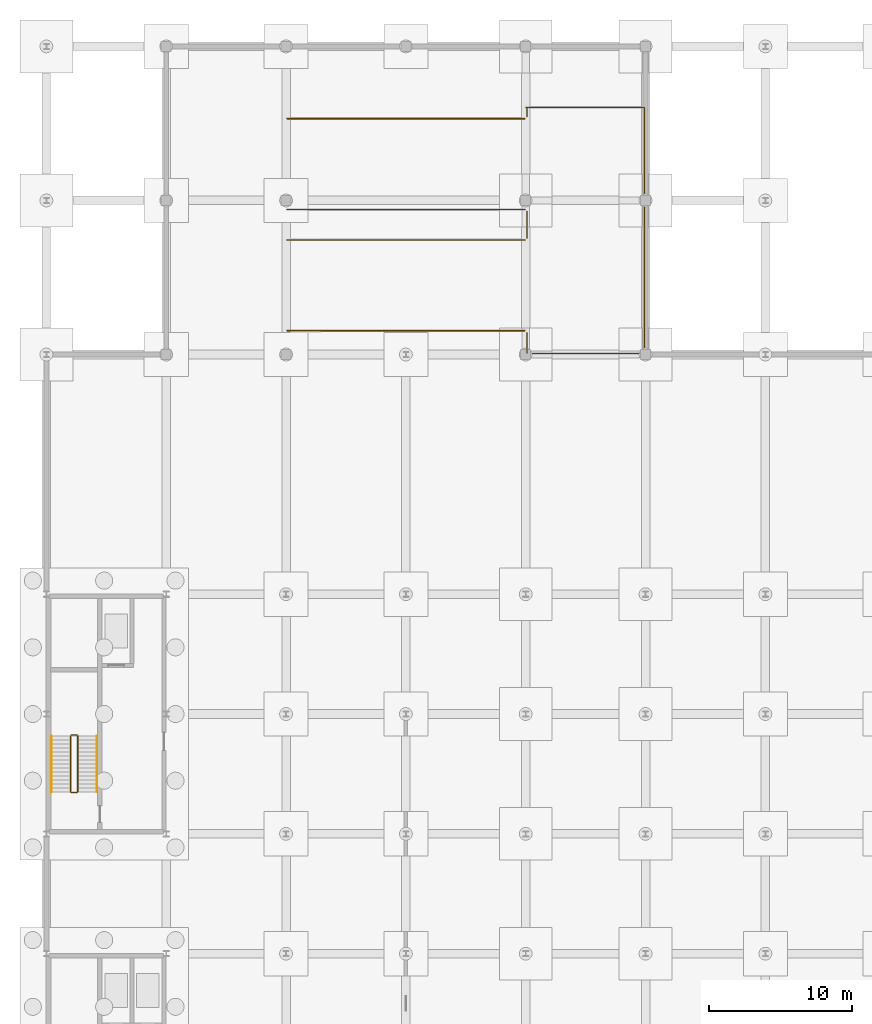
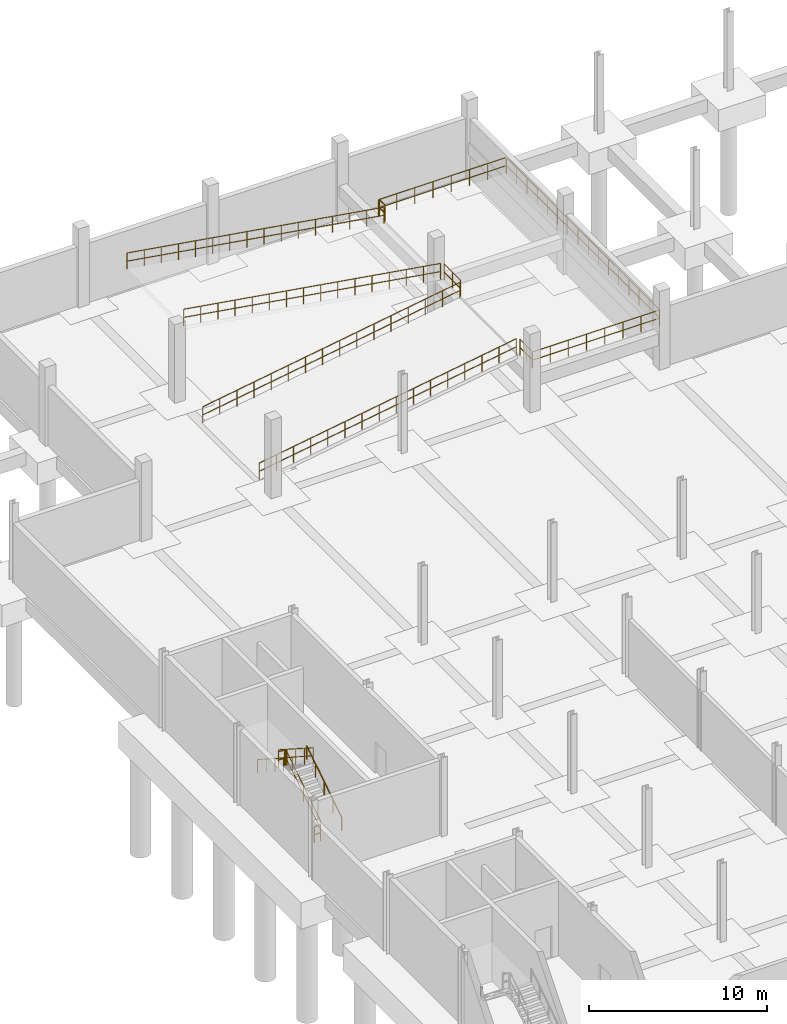
# One storey, part 33 of 36: 16 railings.
"""IFC4 building model written with IfcOpenShell, lengths in metres."""

from ifc_helpers import new_model, si_unit, direction, frame, origin, origin_2d, place, context, subcontext, project, spatial, circle, extrude, material, type_object, element, save


model = new_model("IFC4")

# Units and contexts
model_context = context("Model", 3, precision=1e-05, world=origin(), true_north=direction((0.0, 1.0)))
body_context = subcontext(model_context, "Body", "Model", "MODEL_VIEW")
ifc_project = project(units=[si_unit("LENGTHUNIT", "METRE"), si_unit("AREAUNIT", "SQUARE_METRE"), si_unit("VOLUMEUNIT", "CUBIC_METRE"), si_unit("PLANEANGLEUNIT", "RADIAN"), si_unit("MASSUNIT", "GRAM", prefix="KILO"), si_unit("THERMODYNAMICTEMPERATUREUNIT", "KELVIN"), si_unit("POWERUNIT", "WATT")], contexts=[model_context])

# Site, building, storey
site_placement = place(None, origin())
site = spatial("IfcSite", under=ifc_project, at=site_placement, CompositionType="ELEMENT")
building_placement = place(site_placement, origin())
building = spatial("IfcBuilding", under=site, at=building_placement, Name="Tembeka Court Mobility Hub", CompositionType="ELEMENT")
storey_placement = place(building_placement, frame((0.0, 0.0, -5.39990234375)))
storey = spatial("IfcBuildingStorey", under=building, at=storey_placement, Name="B1", CompositionType="ELEMENT", Elevation=-5.39990234375)

# Railings
ifc_material_1 = material(Name="Painted galvanised steel balustrade", Category="steel")
railing_type_1 = type_object("IfcRailingType", Name="RL-GR01", PredefinedType="GUARDRAIL", material=ifc_material_1)
railing_1_placement = place(storey_placement, frame((2.199951171875, 66.550048828125, 0.179931640625)))
element("IfcRailing", 1, at=railing_1_placement, inside=storey, type_object=railing_type_1, Name="B1 ST03 stair guard 1-1", PredefinedType="GUARDRAIL", context=body_context, shape_type="SweptSolid", body=[
    extrude(circle(Radius=0.02392578125, at=origin_2d()), frame((0.0, 0.0, 1.09619140625), z_axis=(0.0, 0.841171666519, 0.540768182723), x_axis=(-1.0, 0.0, 0.0)), (0.0, 0.0, 1.0), 4.66015625),
    extrude(circle(Radius=0.02392578125, at=origin_2d()), frame((0.0, 0.0, 0.5361328125), z_axis=(0.0, 0.841171666519, 0.540768182723), x_axis=(-1.0, 0.0, 0.0)), (0.0, 0.0, 1.0), 4.66015625),
    extrude(circle(Radius=0.02099609375, at=origin_2d()), origin(), (0.0, 0.0, 1.0), 1.072021484375),
    extrude(circle(Radius=0.02099609375, at=origin_2d()), frame((0.0, 0.97998046875, 0.6298828125)), (0.0, 0.0, 1.0), 1.072021484375),
    extrude(circle(Radius=0.02099609375, at=origin_2d()), frame((0.0, 1.9599609375, 1.260009765625)), (0.0, 0.0, 1.0), 1.072021484375),
    extrude(circle(Radius=0.02099609375, at=origin_2d()), frame((0.0, 2.93994140625, 1.89013671875)), (0.0, 0.0, 1.0), 1.072021484375),
    extrude(circle(Radius=0.02099609375, at=origin_2d()), frame((0.0, 3.919921875, 2.52001953125)), (0.0, 0.0, 1.0), 1.072021484375),
])
railing_2_placement = place(storey_placement, frame((2.14990234375, 70.52001953125, 2.699951171875)))
element("IfcRailing", 2, at=railing_2_placement, inside=storey, type_object=railing_type_1, Name="B1 ST03 stair guard 2-1", PredefinedType="GUARDRAIL", context=body_context, shape_type="SweptSolid", body=[
    extrude(circle(Radius=0.02392578125, at=origin_2d()), frame((0.0, 0.0, 1.09619140625), z_axis=(-1.0, 0.0, 0.0), x_axis=(0.0, -1.0, 0.0)), (0.0, 0.0, 1.0), 0.39990234375),
    extrude(circle(Radius=0.02392578125, at=origin_2d()), frame((0.0, 0.0, 0.5361328125), z_axis=(-1.0, 0.0, 0.0), x_axis=(0.0, -1.0, 0.0)), (0.0, 0.0, 1.0), 0.39990234375),
    extrude(circle(Radius=0.02099609375, at=origin_2d()), origin(), (0.0, 0.0, 1.0), 1.072021484375),
    extrude(circle(Radius=0.02099609375, at=origin_2d()), frame((-0.39990234375, 0.0, 0.0)), (0.0, 0.0, 1.0), 1.072021484375),
])
railing_3_placement = place(storey_placement, frame((1.699951171875, 70.469970703125, 2.8798828125)))
element("IfcRailing", 3, at=railing_3_placement, inside=storey, type_object=railing_type_1, Name="B1 ST03 stair guard 3-1", PredefinedType="GUARDRAIL", context=body_context, shape_type="SweptSolid", body=[
    extrude(circle(Radius=0.02392578125, at=origin_2d()), frame((0.0, 0.0, 1.09619140625), z_axis=(0.0, -0.841171666519, 0.540768182723), x_axis=(1.0, 0.0, 0.0)), (0.0, 0.0, 1.0), 4.66015625),
    extrude(circle(Radius=0.02392578125, at=origin_2d()), frame((0.0, 0.0, 0.5361328125), z_axis=(0.0, -0.841171666519, 0.540768182723), x_axis=(1.0, 0.0, 0.0)), (0.0, 0.0, 1.0), 4.66015625),
    extrude(circle(Radius=0.02099609375, at=origin_2d()), origin(), (0.0, 0.0, 1.0), 1.072021484375),
    extrude(circle(Radius=0.02099609375, at=origin_2d()), frame((0.0, -0.97998046875, 0.6298828125)), (0.0, 0.0, 1.0), 1.072021484375),
    extrude(circle(Radius=0.02099609375, at=origin_2d()), frame((0.0, -1.9599609375, 1.260009765625)), (0.0, 0.0, 1.0), 1.072021484375),
    extrude(circle(Radius=0.02099609375, at=origin_2d()), frame((0.0, -2.93994140625, 1.89013671875)), (0.0, 0.0, 1.0), 1.072021484375),
    extrude(circle(Radius=0.02099609375, at=origin_2d()), frame((0.0, -3.919921875, 2.52001953125)), (0.0, 0.0, 1.0), 1.072021484375),
])
railing_4_placement = place(storey_placement, frame((2.14990234375, 66.5, 0.0)))
element("IfcRailing", 4, at=railing_4_placement, inside=storey, type_object=railing_type_1, Name="B1 ST03 stair guard 4-1", PredefinedType="GUARDRAIL", context=body_context, shape_type="SweptSolid", body=[
    extrude(circle(Radius=0.02392578125, at=origin_2d()), frame((0.0, 0.0, 1.09619140625), z_axis=(-1.0, 0.0, 0.0), x_axis=(0.0, -1.0, 0.0)), (0.0, 0.0, 1.0), 0.39990234375),
    extrude(circle(Radius=0.02392578125, at=origin_2d()), frame((0.0, 0.0, 0.5361328125), z_axis=(-1.0, 0.0, 0.0), x_axis=(0.0, -1.0, 0.0)), (0.0, 0.0, 1.0), 0.39990234375),
    extrude(circle(Radius=0.02099609375, at=origin_2d()), origin(), (0.0, 0.0, 1.0), 1.072021484375),
    extrude(circle(Radius=0.02099609375, at=origin_2d()), frame((-0.39990234375, 0.0, 0.0)), (0.0, 0.0, 1.0), 1.072021484375),
])
railing_type_2 = type_object("IfcRailingType", Name="RL-GR02", PredefinedType="GUARDRAIL", material=ifc_material_1)
railing_5_placement = place(storey_placement, frame((16.86962890625, 98.8701171875, 0.004638671875)))
element("IfcRailing", 5, at=railing_5_placement, inside=storey, type_object=railing_type_2, Name="Perimeter guard GR02-0202", PredefinedType="GUARDRAIL", context=body_context, shape_type="SweptSolid", body=[
    extrude(circle(Radius=0.02392578125, at=origin_2d()), frame((0.0, 0.0, 1.09619140625), z_axis=(0.987211393699, 0.0, 0.159416636997), x_axis=(0.0, 1.0, 0.0)), (0.0, 0.0, 1.0), 16.876708984375),
    extrude(circle(Radius=0.02392578125, at=origin_2d()), frame((0.0, 0.0, 0.5361328125), z_axis=(0.987211393699, 0.0, 0.159416636997), x_axis=(0.0, 1.0, 0.0)), (0.0, 0.0, 1.0), 16.876708984375),
    extrude(circle(Radius=0.02099609375, at=origin_2d()), origin(), (0.0, 0.0, 1.0), 1.072021484375),
    extrude(circle(Radius=0.02099609375, at=origin_2d()), frame((1.11083984375, 0.0, 0.179443359375)), (0.0, 0.0, 1.0), 1.072021484375),
    extrude(circle(Radius=0.02099609375, at=origin_2d()), frame((2.221435546875, 0.0, 0.358642578125)), (0.0, 0.0, 1.0), 1.072021484375),
    extrude(circle(Radius=0.02099609375, at=origin_2d()), frame((3.332275390625, 0.0, 0.5380859375)), (0.0, 0.0, 1.0), 1.072021484375),
    extrude(circle(Radius=0.02099609375, at=origin_2d()), frame((4.44287109375, 0.0, 0.717529296875)), (0.0, 0.0, 1.0), 1.072021484375),
    extrude(circle(Radius=0.02099609375, at=origin_2d()), frame((5.5537109375, 0.0, 0.896728515625)), (0.0, 0.0, 1.0), 1.072021484375),
    extrude(circle(Radius=0.02099609375, at=origin_2d()), frame((6.664306640625, 0.0, 1.076171875)), (0.0, 0.0, 1.0), 1.072021484375),
    extrude(circle(Radius=0.02099609375, at=origin_2d()), frame((7.775146484375, 0.0, 1.255615234375)), (0.0, 0.0, 1.0), 1.072021484375),
    extrude(circle(Radius=0.02099609375, at=origin_2d()), frame((8.8857421875, 0.0, 1.434814453125)), (0.0, 0.0, 1.0), 1.072021484375),
    extrude(circle(Radius=0.02099609375, at=origin_2d()), frame((9.99658203125, 0.0, 1.6142578125)), (0.0, 0.0, 1.0), 1.072021484375),
    extrude(circle(Radius=0.02099609375, at=origin_2d()), frame((11.107177734375, 0.0, 1.793701171875)), (0.0, 0.0, 1.0), 1.072021484375),
    extrude(circle(Radius=0.02099609375, at=origin_2d()), frame((12.218017578125, 0.0, 1.972900390625)), (0.0, 0.0, 1.0), 1.072021484375),
    extrude(circle(Radius=0.02099609375, at=origin_2d()), frame((13.32861328125, 0.0, 2.15234375)), (0.0, 0.0, 1.0), 1.072021484375),
    extrude(circle(Radius=0.02099609375, at=origin_2d()), frame((14.439453125, 0.0, 2.331787109375)), (0.0, 0.0, 1.0), 1.072021484375),
    extrude(circle(Radius=0.02099609375, at=origin_2d()), frame((15.550048828125, 0.0, 2.510986328125)), (0.0, 0.0, 1.0), 1.072021484375),
    extrude(circle(Radius=0.02099609375, at=origin_2d()), frame((16.660888671875, 0.0, 2.6904296875)), (0.0, 0.0, 1.0), 1.072021484375),
])
railing_6_placement = place(storey_placement, frame((33.530517578125, 107.3701171875, 2.70458984375)))
element("IfcRailing", 6, at=railing_6_placement, inside=storey, type_object=railing_type_2, Name="Perimeter guard GR02-0203", PredefinedType="GUARDRAIL", context=body_context, shape_type="SweptSolid", body=[
    extrude(circle(Radius=0.02392578125, at=origin_2d()), frame((0.0, 0.0, 1.09619140625), z_axis=(-0.987211393699, 0.0, 0.159416636997), x_axis=(0.0, -1.0, 0.0)), (0.0, 0.0, 1.0), 16.876708984375),
    extrude(circle(Radius=0.02392578125, at=origin_2d()), frame((0.0, 0.0, 0.5361328125), z_axis=(-0.987211393699, 0.0, 0.159416636997), x_axis=(0.0, -1.0, 0.0)), (0.0, 0.0, 1.0), 16.876708984375),
    extrude(circle(Radius=0.02099609375, at=origin_2d()), origin(), (0.0, 0.0, 1.0), 1.072021484375),
    extrude(circle(Radius=0.02099609375, at=origin_2d()), frame((-1.11083984375, 0.0, 0.179443359375)), (0.0, 0.0, 1.0), 1.072021484375),
    extrude(circle(Radius=0.02099609375, at=origin_2d()), frame((-2.221435546875, 0.0, 0.358642578125)), (0.0, 0.0, 1.0), 1.072021484375),
    extrude(circle(Radius=0.02099609375, at=origin_2d()), frame((-3.332275390625, 0.0, 0.5380859375)), (0.0, 0.0, 1.0), 1.072021484375),
    extrude(circle(Radius=0.02099609375, at=origin_2d()), frame((-4.44287109375, 0.0, 0.717529296875)), (0.0, 0.0, 1.0), 1.072021484375),
    extrude(circle(Radius=0.02099609375, at=origin_2d()), frame((-5.5537109375, 0.0, 0.896728515625)), (0.0, 0.0, 1.0), 1.072021484375),
    extrude(circle(Radius=0.02099609375, at=origin_2d()), frame((-6.664306640625, 0.0, 1.076171875)), (0.0, 0.0, 1.0), 1.072021484375),
    extrude(circle(Radius=0.02099609375, at=origin_2d()), frame((-7.775146484375, 0.0, 1.255615234375)), (0.0, 0.0, 1.0), 1.072021484375),
    extrude(circle(Radius=0.02099609375, at=origin_2d()), frame((-8.8857421875, 0.0, 1.434814453125)), (0.0, 0.0, 1.0), 1.072021484375),
    extrude(circle(Radius=0.02099609375, at=origin_2d()), frame((-9.99658203125, 0.0, 1.6142578125)), (0.0, 0.0, 1.0), 1.072021484375),
    extrude(circle(Radius=0.02099609375, at=origin_2d()), frame((-11.107177734375, 0.0, 1.793701171875)), (0.0, 0.0, 1.0), 1.072021484375),
    extrude(circle(Radius=0.02099609375, at=origin_2d()), frame((-12.218017578125, 0.0, 1.972900390625)), (0.0, 0.0, 1.0), 1.072021484375),
    extrude(circle(Radius=0.02099609375, at=origin_2d()), frame((-13.32861328125, 0.0, 2.15234375)), (0.0, 0.0, 1.0), 1.072021484375),
    extrude(circle(Radius=0.02099609375, at=origin_2d()), frame((-14.439453125, 0.0, 2.331787109375)), (0.0, 0.0, 1.0), 1.072021484375),
    extrude(circle(Radius=0.02099609375, at=origin_2d()), frame((-15.550048828125, 0.0, 2.510986328125)), (0.0, 0.0, 1.0), 1.072021484375),
    extrude(circle(Radius=0.02099609375, at=origin_2d()), frame((-16.660888671875, 0.0, 2.6904296875)), (0.0, 0.0, 1.0), 1.072021484375),
])
railing_7_placement = place(storey_placement, frame((16.86962890625, 105.22998046875, 0.004638671875)))
element("IfcRailing", 7, at=railing_7_placement, inside=storey, type_object=railing_type_2, Name="Perimeter guard GR02-0204", PredefinedType="GUARDRAIL", context=body_context, shape_type="SweptSolid", body=[
    extrude(circle(Radius=0.02392578125, at=origin_2d()), frame((0.0, 0.0, 1.09619140625), z_axis=(0.987211393699, 0.0, 0.159416636997), x_axis=(0.0, 1.0, 0.0)), (0.0, 0.0, 1.0), 16.876708984375),
    extrude(circle(Radius=0.02392578125, at=origin_2d()), frame((0.0, 0.0, 0.5361328125), z_axis=(0.987211393699, 0.0, 0.159416636997), x_axis=(0.0, 1.0, 0.0)), (0.0, 0.0, 1.0), 16.876708984375),
    extrude(circle(Radius=0.02099609375, at=origin_2d()), origin(), (0.0, 0.0, 1.0), 1.072021484375),
    extrude(circle(Radius=0.02099609375, at=origin_2d()), frame((1.11083984375, 0.0, 0.179443359375)), (0.0, 0.0, 1.0), 1.072021484375),
    extrude(circle(Radius=0.02099609375, at=origin_2d()), frame((2.221435546875, 0.0, 0.358642578125)), (0.0, 0.0, 1.0), 1.072021484375),
    extrude(circle(Radius=0.02099609375, at=origin_2d()), frame((3.332275390625, 0.0, 0.5380859375)), (0.0, 0.0, 1.0), 1.072021484375),
    extrude(circle(Radius=0.02099609375, at=origin_2d()), frame((4.44287109375, 0.0, 0.717529296875)), (0.0, 0.0, 1.0), 1.072021484375),
    extrude(circle(Radius=0.02099609375, at=origin_2d()), frame((5.5537109375, 0.0, 0.896728515625)), (0.0, 0.0, 1.0), 1.072021484375),
    extrude(circle(Radius=0.02099609375, at=origin_2d()), frame((6.664306640625, 0.0, 1.076171875)), (0.0, 0.0, 1.0), 1.072021484375),
    extrude(circle(Radius=0.02099609375, at=origin_2d()), frame((7.775146484375, 0.0, 1.255615234375)), (0.0, 0.0, 1.0), 1.072021484375),
    extrude(circle(Radius=0.02099609375, at=origin_2d()), frame((8.8857421875, 0.0, 1.434814453125)), (0.0, 0.0, 1.0), 1.072021484375),
    extrude(circle(Radius=0.02099609375, at=origin_2d()), frame((9.99658203125, 0.0, 1.6142578125)), (0.0, 0.0, 1.0), 1.072021484375),
    extrude(circle(Radius=0.02099609375, at=origin_2d()), frame((11.107177734375, 0.0, 1.793701171875)), (0.0, 0.0, 1.0), 1.072021484375),
    extrude(circle(Radius=0.02099609375, at=origin_2d()), frame((12.218017578125, 0.0, 1.972900390625)), (0.0, 0.0, 1.0), 1.072021484375),
    extrude(circle(Radius=0.02099609375, at=origin_2d()), frame((13.32861328125, 0.0, 2.15234375)), (0.0, 0.0, 1.0), 1.072021484375),
    extrude(circle(Radius=0.02099609375, at=origin_2d()), frame((14.439453125, 0.0, 2.331787109375)), (0.0, 0.0, 1.0), 1.072021484375),
    extrude(circle(Radius=0.02099609375, at=origin_2d()), frame((15.550048828125, 0.0, 2.510986328125)), (0.0, 0.0, 1.0), 1.072021484375),
    extrude(circle(Radius=0.02099609375, at=origin_2d()), frame((16.660888671875, 0.0, 2.6904296875)), (0.0, 0.0, 1.0), 1.072021484375),
])
railing_8_placement = place(storey_placement, frame((33.530517578125, 113.72998046875, 2.70458984375)))
element("IfcRailing", 8, at=railing_8_placement, inside=storey, type_object=railing_type_2, Name="Perimeter guard GR02-0205", PredefinedType="GUARDRAIL", context=body_context, shape_type="SweptSolid", body=[
    extrude(circle(Radius=0.02392578125, at=origin_2d()), frame((0.0, 0.0, 1.09619140625), z_axis=(-0.987211393699, 0.0, 0.159416636997), x_axis=(0.0, -1.0, 0.0)), (0.0, 0.0, 1.0), 16.876708984375),
    extrude(circle(Radius=0.02392578125, at=origin_2d()), frame((0.0, 0.0, 0.5361328125), z_axis=(-0.987211393699, 0.0, 0.159416636997), x_axis=(0.0, -1.0, 0.0)), (0.0, 0.0, 1.0), 16.876708984375),
    extrude(circle(Radius=0.02099609375, at=origin_2d()), origin(), (0.0, 0.0, 1.0), 1.072021484375),
    extrude(circle(Radius=0.02099609375, at=origin_2d()), frame((-1.11083984375, 0.0, 0.179443359375)), (0.0, 0.0, 1.0), 1.072021484375),
    extrude(circle(Radius=0.02099609375, at=origin_2d()), frame((-2.221435546875, 0.0, 0.358642578125)), (0.0, 0.0, 1.0), 1.072021484375),
    extrude(circle(Radius=0.02099609375, at=origin_2d()), frame((-3.332275390625, 0.0, 0.5380859375)), (0.0, 0.0, 1.0), 1.072021484375),
    extrude(circle(Radius=0.02099609375, at=origin_2d()), frame((-4.44287109375, 0.0, 0.717529296875)), (0.0, 0.0, 1.0), 1.072021484375),
    extrude(circle(Radius=0.02099609375, at=origin_2d()), frame((-5.5537109375, 0.0, 0.896728515625)), (0.0, 0.0, 1.0), 1.072021484375),
    extrude(circle(Radius=0.02099609375, at=origin_2d()), frame((-6.664306640625, 0.0, 1.076171875)), (0.0, 0.0, 1.0), 1.072021484375),
    extrude(circle(Radius=0.02099609375, at=origin_2d()), frame((-7.775146484375, 0.0, 1.255615234375)), (0.0, 0.0, 1.0), 1.072021484375),
    extrude(circle(Radius=0.02099609375, at=origin_2d()), frame((-8.8857421875, 0.0, 1.434814453125)), (0.0, 0.0, 1.0), 1.072021484375),
    extrude(circle(Radius=0.02099609375, at=origin_2d()), frame((-9.99658203125, 0.0, 1.6142578125)), (0.0, 0.0, 1.0), 1.072021484375),
    extrude(circle(Radius=0.02099609375, at=origin_2d()), frame((-11.107177734375, 0.0, 1.793701171875)), (0.0, 0.0, 1.0), 1.072021484375),
    extrude(circle(Radius=0.02099609375, at=origin_2d()), frame((-12.218017578125, 0.0, 1.972900390625)), (0.0, 0.0, 1.0), 1.072021484375),
    extrude(circle(Radius=0.02099609375, at=origin_2d()), frame((-13.32861328125, 0.0, 2.15234375)), (0.0, 0.0, 1.0), 1.072021484375),
    extrude(circle(Radius=0.02099609375, at=origin_2d()), frame((-14.439453125, 0.0, 2.331787109375)), (0.0, 0.0, 1.0), 1.072021484375),
    extrude(circle(Radius=0.02099609375, at=origin_2d()), frame((-15.550048828125, 0.0, 2.510986328125)), (0.0, 0.0, 1.0), 1.072021484375),
    extrude(circle(Radius=0.02099609375, at=origin_2d()), frame((-16.660888671875, 0.0, 2.6904296875)), (0.0, 0.0, 1.0), 1.072021484375),
])
railing_9_placement = place(storey_placement, frame((33.6298828125, 97.280029296875, 2.699951171875)))
element("IfcRailing", 9, at=railing_9_placement, inside=storey, type_object=railing_type_2, Name="Perimeter guard GR02-0206", PredefinedType="GUARDRAIL", context=body_context, shape_type="SweptSolid", body=[
    extrude(circle(Radius=0.02392578125, at=origin_2d()), frame((0.0, 0.0, 1.09619140625), z_axis=(1.0, 0.0, 0.0), x_axis=(0.0, 1.0, 0.0)), (0.0, 0.0, 1.0), 8.260009765625),
    extrude(circle(Radius=0.02392578125, at=origin_2d()), frame((0.0, 0.0, 0.5361328125), z_axis=(1.0, 0.0, 0.0), x_axis=(0.0, 1.0, 0.0)), (0.0, 0.0, 1.0), 8.260009765625),
    extrude(circle(Radius=0.02099609375, at=origin_2d()), origin(), (0.0, 0.0, 1.0), 1.072021484375),
    extrude(circle(Radius=0.02099609375, at=origin_2d()), frame((1.179931640625, 0.0, 0.0)), (0.0, 0.0, 1.0), 1.072021484375),
    extrude(circle(Radius=0.02099609375, at=origin_2d()), frame((2.360107421875, 0.0, 0.0)), (0.0, 0.0, 1.0), 1.072021484375),
    extrude(circle(Radius=0.02099609375, at=origin_2d()), frame((3.5400390625, 0.0, 0.0)), (0.0, 0.0, 1.0), 1.072021484375),
    extrude(circle(Radius=0.02099609375, at=origin_2d()), frame((4.719970703125, 0.0, 0.0)), (0.0, 0.0, 1.0), 1.072021484375),
    extrude(circle(Radius=0.02099609375, at=origin_2d()), frame((5.89990234375, 0.0, 0.0)), (0.0, 0.0, 1.0), 1.072021484375),
    extrude(circle(Radius=0.02099609375, at=origin_2d()), frame((7.080078125, 0.0, 0.0)), (0.0, 0.0, 1.0), 1.072021484375),
    extrude(circle(Radius=0.02099609375, at=origin_2d()), frame((8.260009765625, 0.0, 0.0)), (0.0, 0.0, 1.0), 1.072021484375),
])
railing_10_placement = place(storey_placement, frame((41.919921875, 97.31005859375, 2.699951171875)))
element("IfcRailing", 10, at=railing_10_placement, inside=storey, type_object=railing_type_2, Name="Perimeter guard GR02-0207", PredefinedType="GUARDRAIL", context=body_context, shape_type="SweptSolid", body=[
    extrude(circle(Radius=0.02392578125, at=origin_2d()), frame((0.0, 0.0, 1.09619140625), z_axis=(0.0, 1.0, 0.0), x_axis=(-1.0, 0.0, 0.0)), (0.0, 0.0, 1.0), 17.179931640625),
    extrude(circle(Radius=0.02392578125, at=origin_2d()), frame((0.0, 0.0, 0.5361328125), z_axis=(0.0, 1.0, 0.0), x_axis=(-1.0, 0.0, 0.0)), (0.0, 0.0, 1.0), 17.179931640625),
    extrude(circle(Radius=0.02099609375, at=origin_2d()), origin(), (0.0, 0.0, 1.0), 1.072021484375),
    extrude(circle(Radius=0.02099609375, at=origin_2d()), frame((0.0, 1.145263671875, 0.0)), (0.0, 0.0, 1.0), 1.072021484375),
    extrude(circle(Radius=0.02099609375, at=origin_2d()), frame((0.0, 2.290771484375, 0.0)), (0.0, 0.0, 1.0), 1.072021484375),
    extrude(circle(Radius=0.02099609375, at=origin_2d()), frame((0.0, 3.43603515625, 0.0)), (0.0, 0.0, 1.0), 1.072021484375),
    extrude(circle(Radius=0.02099609375, at=origin_2d()), frame((0.0, 4.581298828125, 0.0)), (0.0, 0.0, 1.0), 1.072021484375),
    extrude(circle(Radius=0.02099609375, at=origin_2d()), frame((0.0, 5.7265625, 0.0)), (0.0, 0.0, 1.0), 1.072021484375),
    extrude(circle(Radius=0.02099609375, at=origin_2d()), frame((0.0, 6.8720703125, 0.0)), (0.0, 0.0, 1.0), 1.072021484375),
    extrude(circle(Radius=0.02099609375, at=origin_2d()), frame((0.0, 8.017333984375, 0.0)), (0.0, 0.0, 1.0), 1.072021484375),
    extrude(circle(Radius=0.02099609375, at=origin_2d()), frame((0.0, 9.16259765625, 0.0)), (0.0, 0.0, 1.0), 1.072021484375),
    extrude(circle(Radius=0.02099609375, at=origin_2d()), frame((0.0, 10.307861328125, 0.0)), (0.0, 0.0, 1.0), 1.072021484375),
    extrude(circle(Radius=0.02099609375, at=origin_2d()), frame((0.0, 11.453369140625, 0.0)), (0.0, 0.0, 1.0), 1.072021484375),
    extrude(circle(Radius=0.02099609375, at=origin_2d()), frame((0.0, 12.5986328125, 0.0)), (0.0, 0.0, 1.0), 1.072021484375),
    extrude(circle(Radius=0.02099609375, at=origin_2d()), frame((0.0, 13.743896484375, 0.0)), (0.0, 0.0, 1.0), 1.072021484375),
    extrude(circle(Radius=0.02099609375, at=origin_2d()), frame((0.0, 14.88916015625, 0.0)), (0.0, 0.0, 1.0), 1.072021484375),
    extrude(circle(Radius=0.02099609375, at=origin_2d()), frame((0.0, 16.03466796875, 0.0)), (0.0, 0.0, 1.0), 1.072021484375),
    extrude(circle(Radius=0.02099609375, at=origin_2d()), frame((0.0, 17.179931640625, 0.0)), (0.0, 0.0, 1.0), 1.072021484375),
])
railing_11_placement = place(storey_placement, frame((41.889892578125, 114.52001953125, 2.699951171875)))
element("IfcRailing", 11, at=railing_11_placement, inside=storey, type_object=railing_type_2, Name="Perimeter guard GR02-0208", PredefinedType="GUARDRAIL", context=body_context, shape_type="SweptSolid", body=[
    extrude(circle(Radius=0.02392578125, at=origin_2d()), frame((0.0, 0.0, 1.09619140625), z_axis=(-1.0, 0.0, 0.0), x_axis=(0.0, -1.0, 0.0)), (0.0, 0.0, 1.0), 8.260009765625),
    extrude(circle(Radius=0.02392578125, at=origin_2d()), frame((0.0, 0.0, 0.5361328125), z_axis=(-1.0, 0.0, 0.0), x_axis=(0.0, -1.0, 0.0)), (0.0, 0.0, 1.0), 8.260009765625),
    extrude(circle(Radius=0.02099609375, at=origin_2d()), origin(), (0.0, 0.0, 1.0), 1.072021484375),
    extrude(circle(Radius=0.02099609375, at=origin_2d()), frame((-1.179931640625, 0.0, 0.0)), (0.0, 0.0, 1.0), 1.072021484375),
    extrude(circle(Radius=0.02099609375, at=origin_2d()), frame((-2.360107421875, 0.0, 0.0)), (0.0, 0.0, 1.0), 1.072021484375),
    extrude(circle(Radius=0.02099609375, at=origin_2d()), frame((-3.5400390625, 0.0, 0.0)), (0.0, 0.0, 1.0), 1.072021484375),
    extrude(circle(Radius=0.02099609375, at=origin_2d()), frame((-4.719970703125, 0.0, 0.0)), (0.0, 0.0, 1.0), 1.072021484375),
    extrude(circle(Radius=0.02099609375, at=origin_2d()), frame((-5.89990234375, 0.0, 0.0)), (0.0, 0.0, 1.0), 1.072021484375),
    extrude(circle(Radius=0.02099609375, at=origin_2d()), frame((-7.080078125, 0.0, 0.0)), (0.0, 0.0, 1.0), 1.072021484375),
    extrude(circle(Radius=0.02099609375, at=origin_2d()), frame((-8.260009765625, 0.0, 0.0)), (0.0, 0.0, 1.0), 1.072021484375),
])
railing_12_placement = place(storey_placement, frame((33.679931640625, 97.31005859375, 2.699951171875)))
element("IfcRailing", 12, at=railing_12_placement, inside=storey, type_object=railing_type_2, Name="Perimeter guard GR02-0209", PredefinedType="GUARDRAIL", context=body_context, shape_type="SweptSolid", body=[
    extrude(circle(Radius=0.02392578125, at=origin_2d()), frame((0.0, 0.0, 1.09619140625), z_axis=(0.0, 1.0, 0.0), x_axis=(-1.0, 0.0, 0.0)), (0.0, 0.0, 1.0), 1.409912109375),
    extrude(circle(Radius=0.02392578125, at=origin_2d()), frame((0.0, 0.0, 0.5361328125), z_axis=(0.0, 1.0, 0.0), x_axis=(-1.0, 0.0, 0.0)), (0.0, 0.0, 1.0), 1.409912109375),
    extrude(circle(Radius=0.02099609375, at=origin_2d()), origin(), (0.0, 0.0, 1.0), 1.072021484375),
    extrude(circle(Radius=0.02099609375, at=origin_2d()), frame((0.0, 0.705078125, 0.0)), (0.0, 0.0, 1.0), 1.072021484375),
    extrude(circle(Radius=0.02099609375, at=origin_2d()), frame((0.0, 1.409912109375, 0.0)), (0.0, 0.0, 1.0), 1.072021484375),
])
railing_13_placement = place(storey_placement, frame((33.679931640625, 105.3798828125, 2.699951171875)))
element("IfcRailing", 13, at=railing_13_placement, inside=storey, type_object=railing_type_2, Name="Perimeter guard GR02-0210", PredefinedType="GUARDRAIL", context=body_context, shape_type="SweptSolid", body=[
    extrude(circle(Radius=0.02392578125, at=origin_2d()), frame((0.0, 0.0, 1.09619140625), z_axis=(0.0, 1.0, 0.0), x_axis=(-1.0, 0.0, 0.0)), (0.0, 0.0, 1.0), 1.840087890625),
    extrude(circle(Radius=0.02392578125, at=origin_2d()), frame((0.0, 0.0, 0.5361328125), z_axis=(0.0, 1.0, 0.0), x_axis=(-1.0, 0.0, 0.0)), (0.0, 0.0, 1.0), 1.840087890625),
    extrude(circle(Radius=0.02099609375, at=origin_2d()), origin(), (0.0, 0.0, 1.0), 1.072021484375),
    extrude(circle(Radius=0.02099609375, at=origin_2d()), frame((0.0, 0.919921875, 0.0)), (0.0, 0.0, 1.0), 1.072021484375),
    extrude(circle(Radius=0.02099609375, at=origin_2d()), frame((0.0, 1.840087890625, 0.0)), (0.0, 0.0, 1.0), 1.072021484375),
])
railing_14_placement = place(storey_placement, frame((33.679931640625, 113.8798828125, 2.699951171875)))
element("IfcRailing", 14, at=railing_14_placement, inside=storey, type_object=railing_type_2, Name="Perimeter guard GR02-0211", PredefinedType="GUARDRAIL", context=body_context, shape_type="SweptSolid", body=[
    extrude(circle(Radius=0.02392578125, at=origin_2d()), frame((0.0, 0.0, 1.09619140625), z_axis=(0.0, 1.0, 0.0), x_axis=(-1.0, 0.0, 0.0)), (0.0, 0.0, 1.0), 0.610107421875),
    extrude(circle(Radius=0.02392578125, at=origin_2d()), frame((0.0, 0.0, 0.5361328125), z_axis=(0.0, 1.0, 0.0), x_axis=(-1.0, 0.0, 0.0)), (0.0, 0.0, 1.0), 0.610107421875),
    extrude(circle(Radius=0.02099609375, at=origin_2d()), origin(), (0.0, 0.0, 1.0), 1.072021484375),
    extrude(circle(Radius=0.02099609375, at=origin_2d()), frame((0.0, 0.610107421875, 0.0)), (0.0, 0.0, 1.0), 1.072021484375),
])
ifc_material_2 = material(Name="Brushed stainless steel handrail", Category="steel")
railing_type_3 = type_object("IfcRailingType", Name="RL-HR01", PredefinedType="HANDRAIL", material=ifc_material_2)
railing_15_placement = place(storey_placement, frame((3.550048828125, 66.550048828125, 0.179931640625)))
element("IfcRailing", 15, at=railing_15_placement, inside=storey, type_object=railing_type_3, Name="B1 ST03 handrail 1-1", PredefinedType="HANDRAIL", context=body_context, shape_type="SweptSolid", body=[
    extrude(circle(Radius=0.02392578125, at=origin_2d()), frame((0.0, 0.0, 0.89599609375), z_axis=(0.0, 0.841171666519, 0.540768182723), x_axis=(-1.0, 0.0, 0.0)), (0.0, 0.0, 1.0), 4.66015625),
    extrude(circle(Radius=0.02099609375, at=origin_2d()), origin(), (0.0, 0.0, 1.0), 0.871826171875),
    extrude(circle(Radius=0.02099609375, at=origin_2d()), frame((0.0, 0.97998046875, 0.6298828125)), (0.0, 0.0, 1.0), 0.871826171875),
    extrude(circle(Radius=0.02099609375, at=origin_2d()), frame((0.0, 1.9599609375, 1.260009765625)), (0.0, 0.0, 1.0), 0.871826171875),
    extrude(circle(Radius=0.02099609375, at=origin_2d()), frame((0.0, 2.93994140625, 1.89013671875)), (0.0, 0.0, 1.0), 0.871826171875),
    extrude(circle(Radius=0.02099609375, at=origin_2d()), frame((0.0, 3.919921875, 2.52001953125)), (0.0, 0.0, 1.0), 0.871826171875),
])
railing_16_placement = place(storey_placement, frame((0.35009765625, 70.469970703125, 2.8798828125)))
element("IfcRailing", 16, at=railing_16_placement, inside=storey, type_object=railing_type_3, Name="B1 ST03 handrail 2-1", PredefinedType="HANDRAIL", context=body_context, shape_type="SweptSolid", body=[
    extrude(circle(Radius=0.02392578125, at=origin_2d()), frame((0.0, 0.0, 0.89599609375), z_axis=(0.0, -0.841171666519, 0.540768182723), x_axis=(1.0, 0.0, 0.0)), (0.0, 0.0, 1.0), 4.66015625),
    extrude(circle(Radius=0.02099609375, at=origin_2d()), origin(), (0.0, 0.0, 1.0), 0.871826171875),
    extrude(circle(Radius=0.02099609375, at=origin_2d()), frame((0.0, -0.97998046875, 0.6298828125)), (0.0, 0.0, 1.0), 0.871826171875),
    extrude(circle(Radius=0.02099609375, at=origin_2d()), frame((0.0, -1.9599609375, 1.260009765625)), (0.0, 0.0, 1.0), 0.871826171875),
    extrude(circle(Radius=0.02099609375, at=origin_2d()), frame((0.0, -2.93994140625, 1.89013671875)), (0.0, 0.0, 1.0), 0.871826171875),
    extrude(circle(Radius=0.02099609375, at=origin_2d()), frame((0.0, -3.919921875, 2.52001953125)), (0.0, 0.0, 1.0), 0.871826171875),
])

save(model, "model.ifc")
